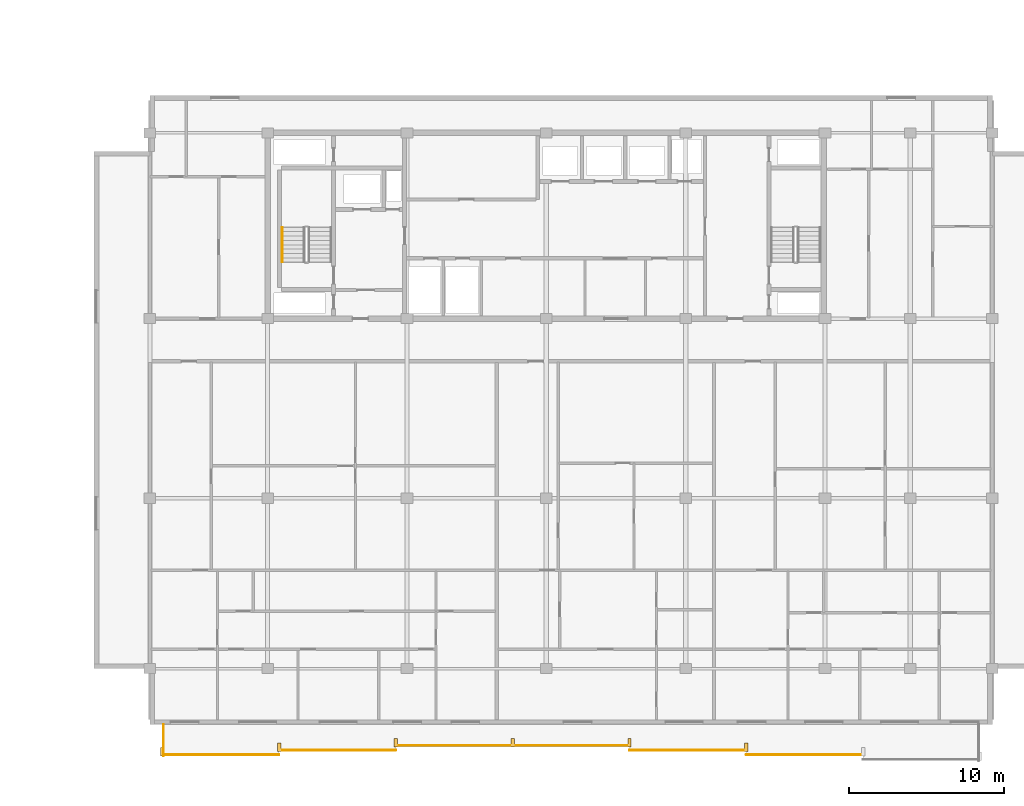
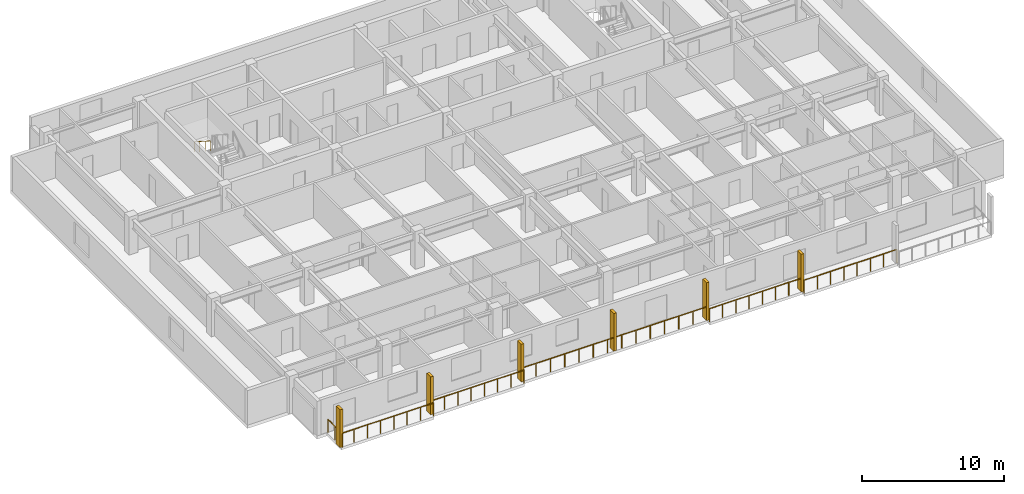
# One storey, part 18 of 22: 7 railings, 6 shading devices.
"""IFC4 building model written with IfcOpenShell, lengths in metres."""

from ifc_helpers import new_model, si_unit, direction, frame, origin, origin_2d, place, context, subcontext, project, spatial, rectangle, circle, extrude, material, type_object, element, save


model = new_model("IFC4")

# Units and contexts
model_context = context("Model", 3, precision=1e-05, world=origin(), true_north=direction((0.0, 1.0)))
body_context = subcontext(model_context, "Body", "Model", "MODEL_VIEW")
ifc_project = project(units=[si_unit("LENGTHUNIT", "METRE"), si_unit("AREAUNIT", "SQUARE_METRE"), si_unit("VOLUMEUNIT", "CUBIC_METRE"), si_unit("PLANEANGLEUNIT", "RADIAN"), si_unit("MASSUNIT", "GRAM", prefix="KILO")], contexts=[model_context])

# Site, building, storey
site_placement = place(None, origin())
site = spatial("IfcSite", under=ifc_project, at=site_placement, CompositionType="ELEMENT")
building_placement = place(site_placement, origin())
building = spatial("IfcBuilding", under=site, at=building_placement, Name="Korimba Cascade Residences", CompositionType="ELEMENT")
storey_placement = place(building_placement, frame((0.0, 0.0, 194.60009765625)))
storey = spatial("IfcBuildingStorey", under=building, at=storey_placement, Name="L56", CompositionType="ELEMENT", Elevation=194.60009765625)

# Railings
ifc_material_1 = material(Name="Laminated Glass and Bronze Balustrade", Category="glass")
railing_type_1 = type_object("IfcRailingType", Name="RLG-LOG-1150", PredefinedType="BALUSTRADE", material=ifc_material_1)
railing_1_placement = place(storey_placement, frame((75.300048828125, -9.77001953125, 0.0)))
element("IfcRailing", 1, at=railing_1_placement, inside=storey, type_object=railing_type_1, Name="L56 Perimeter Guardrail RLG-L56-T2-LOG-01", PredefinedType="BALUSTRADE", context=body_context, shape_type="SweptSolid", body=[
    extrude(circle(Radius=0.02392578125, at=origin_2d()), frame((0.0, 0.0, 1.1259765625), z_axis=(1.0, 0.0, 0.0), x_axis=(0.0, 1.0, 0.0)), (0.0, 0.0, 1.0), 7.54296875),
    extrude(circle(Radius=0.02099609375, at=origin_2d()), origin(), (0.0, 0.0, 1.0), 1.101806640625),
    extrude(circle(Radius=0.02099609375, at=origin_2d()), frame((1.07763671875, 0.0, 0.0)), (0.0, 0.0, 1.0), 1.101806640625),
    extrude(circle(Radius=0.02099609375, at=origin_2d()), frame((2.155029296875, 0.0, 0.0)), (0.0, 0.0, 1.0), 1.101806640625),
    extrude(circle(Radius=0.02099609375, at=origin_2d()), frame((3.232666015625, 0.0, 0.0)), (0.0, 0.0, 1.0), 1.101806640625),
    extrude(circle(Radius=0.02099609375, at=origin_2d()), frame((4.310302734375, 0.0, 0.0)), (0.0, 0.0, 1.0), 1.101806640625),
    extrude(circle(Radius=0.02099609375, at=origin_2d()), frame((5.387939453125, 0.0, 0.0)), (0.0, 0.0, 1.0), 1.101806640625),
    extrude(circle(Radius=0.02099609375, at=origin_2d()), frame((6.46533203125, 0.0, 0.0)), (0.0, 0.0, 1.0), 1.101806640625),
    extrude(circle(Radius=0.02099609375, at=origin_2d()), frame((7.54296875, 0.0, 0.0)), (0.0, 0.0, 1.0), 1.101806640625),
])
railing_2_placement = place(storey_placement, frame((82.843017578125, -9.469970703125, 0.0)))
element("IfcRailing", 2, at=railing_2_placement, inside=storey, type_object=railing_type_1, Name="L56 Perimeter Guardrail RLG-L56-T2-LOG-02", PredefinedType="BALUSTRADE", context=body_context, shape_type="SweptSolid", body=[
    extrude(circle(Radius=0.02392578125, at=origin_2d()), frame((0.0, 0.0, 1.1259765625), z_axis=(1.0, 0.0, 0.0), x_axis=(0.0, 1.0, 0.0)), (0.0, 0.0, 1.0), 7.542724609375),
    extrude(circle(Radius=0.02099609375, at=origin_2d()), origin(), (0.0, 0.0, 1.0), 1.101806640625),
    extrude(circle(Radius=0.02099609375, at=origin_2d()), frame((1.07763671875, 0.0, 0.0)), (0.0, 0.0, 1.0), 1.101806640625),
    extrude(circle(Radius=0.02099609375, at=origin_2d()), frame((2.155029296875, 0.0, 0.0)), (0.0, 0.0, 1.0), 1.101806640625),
    extrude(circle(Radius=0.02099609375, at=origin_2d()), frame((3.232666015625, 0.0, 0.0)), (0.0, 0.0, 1.0), 1.101806640625),
    extrude(circle(Radius=0.02099609375, at=origin_2d()), frame((4.31005859375, 0.0, 0.0)), (0.0, 0.0, 1.0), 1.101806640625),
    extrude(circle(Radius=0.02099609375, at=origin_2d()), frame((5.3876953125, 0.0, 0.0)), (0.0, 0.0, 1.0), 1.101806640625),
    extrude(circle(Radius=0.02099609375, at=origin_2d()), frame((6.465087890625, 0.0, 0.0)), (0.0, 0.0, 1.0), 1.101806640625),
    extrude(circle(Radius=0.02099609375, at=origin_2d()), frame((7.542724609375, 0.0, 0.0)), (0.0, 0.0, 1.0), 1.101806640625),
])
railing_3_placement = place(storey_placement, frame((90.3857421875, -9.169921875, 0.0)))
element("IfcRailing", 3, at=railing_3_placement, inside=storey, type_object=railing_type_1, Name="L56 Perimeter Guardrail RLG-L56-T2-LOG-03", PredefinedType="BALUSTRADE", context=body_context, shape_type="SweptSolid", body=[
    extrude(circle(Radius=0.02392578125, at=origin_2d()), frame((0.0, 0.0, 1.1259765625), z_axis=(1.0, 0.0, 0.0), x_axis=(0.0, 1.0, 0.0)), (0.0, 0.0, 1.0), 15.085693359375),
    extrude(circle(Radius=0.02099609375, at=origin_2d()), origin(), (0.0, 0.0, 1.0), 1.101806640625),
    extrude(circle(Radius=0.02099609375, at=origin_2d()), frame((1.160400390625, 0.0, 0.0)), (0.0, 0.0, 1.0), 1.101806640625),
    extrude(circle(Radius=0.02099609375, at=origin_2d()), frame((2.32080078125, 0.0, 0.0)), (0.0, 0.0, 1.0), 1.101806640625),
    extrude(circle(Radius=0.02099609375, at=origin_2d()), frame((3.481201171875, 0.0, 0.0)), (0.0, 0.0, 1.0), 1.101806640625),
    extrude(circle(Radius=0.02099609375, at=origin_2d()), frame((4.641845703125, 0.0, 0.0)), (0.0, 0.0, 1.0), 1.101806640625),
    extrude(circle(Radius=0.02099609375, at=origin_2d()), frame((5.80224609375, 0.0, 0.0)), (0.0, 0.0, 1.0), 1.101806640625),
    extrude(circle(Radius=0.02099609375, at=origin_2d()), frame((6.962646484375, 0.0, 0.0)), (0.0, 0.0, 1.0), 1.101806640625),
    extrude(circle(Radius=0.02099609375, at=origin_2d()), frame((8.123046875, 0.0, 0.0)), (0.0, 0.0, 1.0), 1.101806640625),
    extrude(circle(Radius=0.02099609375, at=origin_2d()), frame((9.283447265625, 0.0, 0.0)), (0.0, 0.0, 1.0), 1.101806640625),
    extrude(circle(Radius=0.02099609375, at=origin_2d()), frame((10.44384765625, 0.0, 0.0)), (0.0, 0.0, 1.0), 1.101806640625),
    extrude(circle(Radius=0.02099609375, at=origin_2d()), frame((11.6044921875, 0.0, 0.0)), (0.0, 0.0, 1.0), 1.101806640625),
    extrude(circle(Radius=0.02099609375, at=origin_2d()), frame((12.764892578125, 0.0, 0.0)), (0.0, 0.0, 1.0), 1.101806640625),
    extrude(circle(Radius=0.02099609375, at=origin_2d()), frame((13.92529296875, 0.0, 0.0)), (0.0, 0.0, 1.0), 1.101806640625),
    extrude(circle(Radius=0.02099609375, at=origin_2d()), frame((15.085693359375, 0.0, 0.0)), (0.0, 0.0, 1.0), 1.101806640625),
])
railing_4_placement = place(storey_placement, frame((105.471435546875, -9.469970703125, 0.0)))
element("IfcRailing", 4, at=railing_4_placement, inside=storey, type_object=railing_type_1, Name="L56 Perimeter Guardrail RLG-L56-T2-LOG-04", PredefinedType="BALUSTRADE", context=body_context, shape_type="SweptSolid", body=[
    extrude(circle(Radius=0.02392578125, at=origin_2d()), frame((0.0, 0.0, 1.1259765625), z_axis=(1.0, 0.0, 0.0), x_axis=(0.0, 1.0, 0.0)), (0.0, 0.0, 1.0), 7.54296875),
    extrude(circle(Radius=0.02099609375, at=origin_2d()), origin(), (0.0, 0.0, 1.0), 1.101806640625),
    extrude(circle(Radius=0.02099609375, at=origin_2d()), frame((1.07763671875, 0.0, 0.0)), (0.0, 0.0, 1.0), 1.101806640625),
    extrude(circle(Radius=0.02099609375, at=origin_2d()), frame((2.155029296875, 0.0, 0.0)), (0.0, 0.0, 1.0), 1.101806640625),
    extrude(circle(Radius=0.02099609375, at=origin_2d()), frame((3.232666015625, 0.0, 0.0)), (0.0, 0.0, 1.0), 1.101806640625),
    extrude(circle(Radius=0.02099609375, at=origin_2d()), frame((4.310302734375, 0.0, 0.0)), (0.0, 0.0, 1.0), 1.101806640625),
    extrude(circle(Radius=0.02099609375, at=origin_2d()), frame((5.387939453125, 0.0, 0.0)), (0.0, 0.0, 1.0), 1.101806640625),
    extrude(circle(Radius=0.02099609375, at=origin_2d()), frame((6.46533203125, 0.0, 0.0)), (0.0, 0.0, 1.0), 1.101806640625),
    extrude(circle(Radius=0.02099609375, at=origin_2d()), frame((7.54296875, 0.0, 0.0)), (0.0, 0.0, 1.0), 1.101806640625),
])
railing_5_placement = place(storey_placement, frame((113.014404296875, -9.77001953125, 0.0)))
element("IfcRailing", 5, at=railing_5_placement, inside=storey, type_object=railing_type_1, Name="L56 Perimeter Guardrail RLG-L56-T2-LOG-05", PredefinedType="BALUSTRADE", context=body_context, shape_type="SweptSolid", body=[
    extrude(circle(Radius=0.02392578125, at=origin_2d()), frame((0.0, 0.0, 1.1259765625), z_axis=(1.0, 0.0, 0.0), x_axis=(0.0, 1.0, 0.0)), (0.0, 0.0, 1.0), 7.542724609375),
    extrude(circle(Radius=0.02099609375, at=origin_2d()), origin(), (0.0, 0.0, 1.0), 1.101806640625),
    extrude(circle(Radius=0.02099609375, at=origin_2d()), frame((1.07763671875, 0.0, 0.0)), (0.0, 0.0, 1.0), 1.101806640625),
    extrude(circle(Radius=0.02099609375, at=origin_2d()), frame((2.155029296875, 0.0, 0.0)), (0.0, 0.0, 1.0), 1.101806640625),
    extrude(circle(Radius=0.02099609375, at=origin_2d()), frame((3.232666015625, 0.0, 0.0)), (0.0, 0.0, 1.0), 1.101806640625),
    extrude(circle(Radius=0.02099609375, at=origin_2d()), frame((4.31005859375, 0.0, 0.0)), (0.0, 0.0, 1.0), 1.101806640625),
    extrude(circle(Radius=0.02099609375, at=origin_2d()), frame((5.3876953125, 0.0, 0.0)), (0.0, 0.0, 1.0), 1.101806640625),
    extrude(circle(Radius=0.02099609375, at=origin_2d()), frame((6.465087890625, 0.0, 0.0)), (0.0, 0.0, 1.0), 1.101806640625),
    extrude(circle(Radius=0.02099609375, at=origin_2d()), frame((7.542724609375, 0.0, 0.0)), (0.0, 0.0, 1.0), 1.101806640625),
])
railing_6_placement = place(storey_placement, frame((75.3798828125, -7.800048828125, 0.0)))
element("IfcRailing", 6, at=railing_6_placement, inside=storey, type_object=railing_type_1, Name="L56 Perimeter Guardrail RLG-L56-T2-LOG-08", PredefinedType="BALUSTRADE", context=body_context, shape_type="SweptSolid", body=[
    extrude(circle(Radius=0.02392578125, at=origin_2d()), frame((0.0, 0.0, 1.1259765625), z_axis=(0.0, -1.0, 0.0), x_axis=(1.0, 0.0, 0.0)), (0.0, 0.0, 1.0), 2.050048828125),
    extrude(circle(Radius=0.02099609375, at=origin_2d()), origin(), (0.0, 0.0, 1.0), 1.101806640625),
    extrude(circle(Radius=0.02099609375, at=origin_2d()), frame((0.0, -1.02490234375, 0.0)), (0.0, 0.0, 1.0), 1.101806640625),
    extrude(circle(Radius=0.02099609375, at=origin_2d()), frame((0.0, -2.050048828125, 0.0)), (0.0, 0.0, 1.0), 1.101806640625),
])
ifc_material_2 = material(Name="Brushed Stainless Steel Handrail", Category="steel")
railing_type_2 = type_object("IfcRailingType", Name="RLG-ST-HR900", PredefinedType="HANDRAIL", material=ifc_material_2)
railing_7_placement = place(storey_placement, frame((83.050048828125, 24.2900390625, 1.98974609375)))
element("IfcRailing", 7, at=railing_7_placement, inside=storey, type_object=railing_type_2, Name="L56 ST-E1 stair handrail 2", PredefinedType="HANDRAIL", context=body_context, shape_type="SweptSolid", body=[
    extrude(circle(Radius=0.02392578125, at=origin_2d()), frame((0.0, 0.0, 0.8759765625), z_axis=(0.0, -0.840394893359, 0.541974559565), x_axis=(1.0, 0.0, 0.0)), (0.0, 0.0, 1.0), 2.665283203125),
    extrude(circle(Radius=0.02099609375, at=origin_2d()), origin(), (0.0, 0.0, 1.0), 0.851806640625),
    extrude(circle(Radius=0.02099609375, at=origin_2d()), frame((0.0, -0.74658203125, 0.4814453125)), (0.0, 0.0, 1.0), 0.851806640625),
    extrude(circle(Radius=0.02099609375, at=origin_2d()), frame((0.0, -1.493408203125, 0.963134765625)), (0.0, 0.0, 1.0), 0.851806640625),
    extrude(circle(Radius=0.02099609375, at=origin_2d()), frame((0.0, -2.239990234375, 1.444580078125)), (0.0, 0.0, 1.0), 0.851806640625),
])

# Shading devices
ifc_material_3 = material(Name="Honed Sandstone Precast Fin", Category="masonry")
shading_device_type = type_object("IfcShadingDeviceType", Name="SHD-FIN-550", PredefinedType="USERDEFINED", material=ifc_material_3)
for number, where, z_axis, x_axis, name in (
    (8, (75.300048828125, -9.574951171875, 0.0), (0.0, 0.0, 1.0), (1.0, 0.0, 0.0), "L56 T2 Warm-Stone Loggia Fin 1"),
    (9, (82.843017578125, -9.27490234375, 0.0), (0.0, 0.0, 1.0), (1.0, 0.0, 0.0), "L56 T2 Warm-Stone Loggia Fin 2"),
    (10, (90.3857421875, -8.97509765625, 0.0), (0.0, 0.0, 1.0), (1.0, 0.0, 0.0), "L56 T2 Warm-Stone Loggia Fin 3"),
    (11, (97.9287109375, -8.97509765625, 0.0), (0.0, 0.0, 1.0), (1.0, 0.0, 0.0), "L56 T2 Warm-Stone Loggia Fin 4"),
    (12, (105.471435546875, -8.97509765625, 0.0), (0.0, 0.0, 1.0), (1.0, 0.0, 0.0), "L56 T2 Warm-Stone Loggia Fin 5"),
    (13, (113.014404296875, -9.27490234375, 0.0), (0.0, 0.0, 1.0), (1.0, 0.0, 0.0), "L56 T2 Warm-Stone Loggia Fin 6"),
):
    element("IfcShadingDevice", number, at=place(storey_placement, frame(where, z_axis=z_axis, x_axis=x_axis)), inside=storey, type_object=shading_device_type, Name=name, ObjectType="FIN", PredefinedType="USERDEFINED", context=body_context, shape_type="SweptSolid", body=[
        extrude(rectangle(XDim=0.219970703125, YDim=0.550048828125, at=origin_2d()), origin(), (0.0, 0.0, 1.0), 3.25),
    ])

save(model, "model.ifc")
